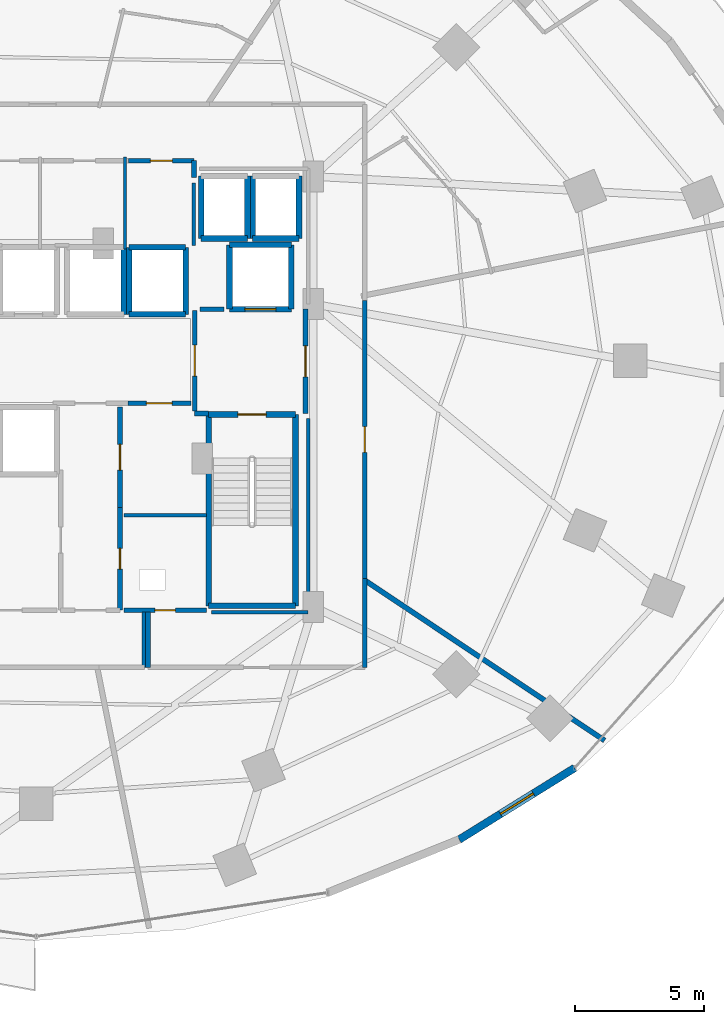
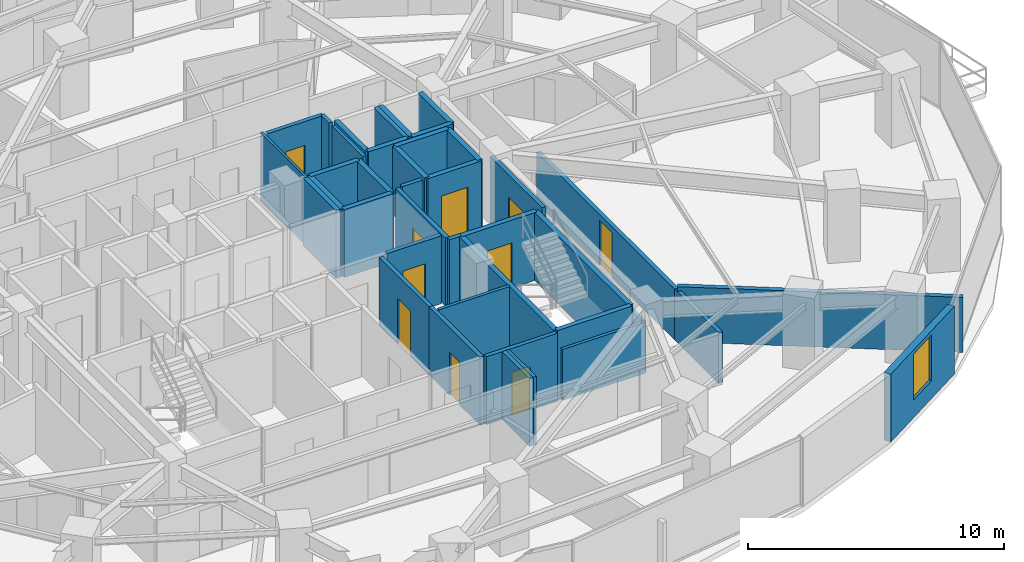
# One storey, part 25 of 30: 40 walls, 10 doors, 1 window, 11 openings.
"""IFC4 building model written with IfcOpenShell, lengths in metres."""

from ifc_helpers import new_model, si_unit, direction, frame, frame_2d, origin, place, context, subcontext, project, spatial, rectangle, extrude, material, layer, layer_set, type_object, element, fill, save


model = new_model("IFC4")

# Units and contexts
model_context = context("Model", 3, precision=1e-05, world=origin(), true_north=direction((0.0, 1.0)))
body_context = subcontext(model_context, "Body", "Model", "MODEL_VIEW")
ifc_project = project(units=[si_unit("LENGTHUNIT", "METRE"), si_unit("AREAUNIT", "SQUARE_METRE"), si_unit("VOLUMEUNIT", "CUBIC_METRE"), si_unit("PLANEANGLEUNIT", "RADIAN"), si_unit("MASSUNIT", "GRAM", prefix="KILO")], contexts=[model_context])

# Site, building, storey
site_placement = place(None, origin())
site = spatial("IfcSite", under=ifc_project, at=site_placement, CompositionType="ELEMENT")
building_placement = place(site_placement, origin())
building = spatial("IfcBuilding", under=site, at=building_placement, Name="Vorneva Point Tower", CompositionType="ELEMENT")
storey_placement = place(building_placement, frame((0.0, 0.0, 41.5)))
storey = spatial("IfcBuildingStorey", under=building, at=storey_placement, Name="L10", CompositionType="ELEMENT", Elevation=41.5)

# Wall, opening, door
ifc_material_1 = material(Name="Concrete B60 (C50/60)", Category="concrete")
ifc_layer_1 = layer(ifc_material_1, 0.5)
ifc_layer_set_1 = layer_set([ifc_layer_1], Name="Concrete B60 (C50/60)")
wall_type_1 = type_object("IfcWallType", Name="WL-CORE-500", PredefinedType="SHEAR", material=ifc_layer_set_1)
wall_1_placement = place(storey_placement, frame((45.5, 28.0, 0.0), z_axis=(0.0, 0.0, 1.0), x_axis=(1.0, 0.0, 0.0)))
wall_1 = element("IfcWall", 1, at=wall_1_placement, inside=storey, type_object=wall_type_1, Name="L10 Lift FFL2 Shaft Wall -Y", PredefinedType="SHEAR", context=body_context, shape_type="SweptSolid", body=[
    extrude(rectangle(XDim=2.39990234375, YDim=0.219970703125, at=frame_2d((1.199951171875, 0.0))), origin(), (0.0, 0.0, 1.0), 3.239990234375),
])
opening_1_placement = place(wall_1_placement, frame((0.60009765625, 0.0, 0.0)))
opening_1 = element("IfcOpeningElement", 2, at=opening_1_placement, cuts=wall_1, Name="Opening LD-02", PredefinedType="OPENING", context=body_context, shape_type="SweptSolid", body=[
    extrude(rectangle(XDim=1.199951171875, YDim=2.199951171875, at=frame_2d((0.60009765625, 1.10009765625))), frame((0.0, 0.125, 0.0), z_axis=(0.0, -1.0, 0.0), x_axis=(1.0, 0.0, 0.0)), (0.0, 0.0, 1.0), 0.249755859375),
])
ifc_material_2 = material(Name="Brushed stainless steel S304", Category="steel")
door_type_1 = type_object("IfcDoorType", Name="LD-FIRE-1200", OperationType="SLIDING_TO_LEFT", PredefinedType="DOOR", material=ifc_material_2)
door_1_placement = place(opening_1_placement, origin())
door_1 = element("IfcDoor", 3, at=door_1_placement, inside=storey, type_object=door_type_1, Name="L10 Lift FFL2 Sliding Landing Door", OperationType="SLIDING_TO_LEFT", OverallHeight=2.199951171875, OverallWidth=1.199951171875, PredefinedType="DOOR", context=body_context, shape_type="SweptSolid", body=[
    extrude(rectangle(XDim=1.199951171875, YDim=2.199951171875, at=frame_2d((0.60009765625, 1.10009765625))), frame((0.0, 0.02490234375, 0.0), z_axis=(0.0, -1.0, 0.0), x_axis=(1.0, 0.0, 0.0)), (0.0, 0.0, 1.0), 0.050048828125),
])
fill(opening_1, door_1)

# Walls
wall_2_placement = place(storey_placement, frame((47.89990234375, 28.0, 0.0), z_axis=(0.0, 0.0, 1.0), x_axis=(0.0, 1.0, 0.0)))
element("IfcWall", 4, at=wall_2_placement, inside=storey, type_object=wall_type_1, Name="L10 Lift FFL2 Shaft Wall +X", PredefinedType="SHEAR", context=body_context, shape_type="SweptSolid", body=[
    extrude(rectangle(XDim=2.5, YDim=0.219970703125, at=frame_2d((1.25, 0.0))), origin(), (0.0, 0.0, 1.0), 3.239990234375),
])
wall_3_placement = place(storey_placement, frame((47.89990234375, 30.5, 0.0), z_axis=(0.0, 0.0, 1.0), x_axis=(-1.0, 0.0, 0.0)))
element("IfcWall", 5, at=wall_3_placement, inside=storey, type_object=wall_type_1, Name="L10 Lift FFL2 Shaft Wall +Y", PredefinedType="SHEAR", context=body_context, shape_type="SweptSolid", body=[
    extrude(rectangle(XDim=2.39990234375, YDim=0.219970703125, at=frame_2d((1.199951171875, 0.0))), origin(), (0.0, 0.0, 1.0), 3.239990234375),
])
wall_4_placement = place(storey_placement, frame((45.5, 30.5, 0.0), z_axis=(0.0, 0.0, 1.0), x_axis=(0.0, -1.0, 0.0)))
element("IfcWall", 6, at=wall_4_placement, inside=storey, type_object=wall_type_1, Name="L10 Lift FFL2 Shaft Wall -X", PredefinedType="SHEAR", context=body_context, shape_type="SweptSolid", body=[
    extrude(rectangle(XDim=2.5, YDim=0.219970703125, at=frame_2d((1.25, 0.0))), origin(), (0.0, 0.0, 1.0), 3.239990234375),
])

# Wall, opening, window
ifc_material_3 = material(Name="Precast concrete B50 (C40/50)", Category="concrete")
ifc_layer_2 = layer(ifc_material_3, 0.300048828125)
ifc_layer_set_2 = layer_set([ifc_layer_2], Name="Precast concrete B50 (C40/50)")
wall_type_2 = type_object("IfcWallType", Name="WL-EXT-300", PredefinedType="STANDARD", material=ifc_layer_set_2)
wall_5_placement = place(storey_placement, frame((54.4169921875, 7.416748046875, 0.0), z_axis=(0.0, 0.0, 1.0), x_axis=(0.849633724826, 0.527373239404, 0.0)))
wall_5 = element("IfcWall", 7, at=wall_5_placement, inside=storey, type_object=wall_type_2, Name="L10 Pale-Metal Facade Spandrel Wall 14.2", PredefinedType="STANDARD", context=body_context, shape_type="SweptSolid", body=[
    extrude(rectangle(XDim=5.2705078125, YDim=0.300048828125, at=frame_2d((2.63525390625, 0.0))), origin(), (0.0, 0.0, 1.0), 3.239990234375),
])
opening_2_placement = place(wall_5_placement, frame((1.88525390625, 0.0, 0.85009765625)))
opening_2 = element("IfcOpeningElement", 8, at=opening_2_placement, cuts=wall_5, Name="Opening W-02", PredefinedType="OPENING", context=body_context, shape_type="SweptSolid", body=[
    extrude(rectangle(XDim=1.5, YDim=2.18994140625, at=frame_2d((0.75, 1.094970703125))), frame((0.0, 0.1650390625, 0.0), z_axis=(0.0, -1.0, 0.0), x_axis=(1.0, 0.0, 0.0)), (0.0, 0.0, 1.0), 0.329833984375),
])
ifc_material_4 = material(Name="Double low-e laminated glass IGU", Category="glass")
window_type = type_object("IfcWindowType", Name="WN-HTL-1500", PartitioningType="SINGLE_PANEL", PredefinedType="WINDOW", material=ifc_material_4)
window_placement = place(opening_2_placement, origin())
window = element("IfcWindow", 9, at=window_placement, inside=storey, type_object=window_type, Name="L10 Facade Window 14", OverallHeight=2.18994140625, OverallWidth=1.5, PartitioningType="SINGLE_PANEL", PredefinedType="WINDOW", context=body_context, shape_type="SweptSolid", body=[
    extrude(rectangle(XDim=1.5, YDim=2.18994140625, at=frame_2d((0.75, 1.094970703125))), frame((0.0, 0.030029296875, 0.0), z_axis=(0.0, -1.0, 0.0), x_axis=(1.0, 0.0, 0.0)), (0.0, 0.0, 1.0), 0.06005859375),
])
fill(opening_2, window)

# Walls
ifc_material_5 = material(Name="Fire-rated acoustic gypsum stud partition", Category="gypsum")
ifc_layer_3 = layer(ifc_material_5, 0.110107421875)
ifc_layer_set_3 = layer_set([ifc_layer_3], Name="Fire-rated acoustic gypsum stud partition")
wall_type_3 = type_object("IfcWallType", Name="WL-PART-110", PredefinedType="PARTITIONING", material=ifc_layer_set_3)
wall_6_placement = place(storey_placement, frame((41.449951171875, 30.340087890625, 0.0), z_axis=(0.0, 0.0, 1.0), x_axis=(0.0, 1.0, 0.0)))
element("IfcWall", 10, at=wall_6_placement, inside=storey, type_object=wall_type_3, Name="L10 Interior Partition 021", PredefinedType="PARTITIONING", context=body_context, shape_type="SweptSolid", body=[
    extrude(rectangle(XDim=3.559814453125, YDim=0.110107421875, at=frame_2d((1.77978515625, 0.0))), origin(), (0.0, 0.0, 1.0), 3.239990234375),
])
ifc_layer_4 = layer(ifc_material_5, 0.139892578125)
ifc_layer_set_4 = layer_set([ifc_layer_4], Name="Fire-rated acoustic gypsum stud partition")
wall_type_4 = type_object("IfcWallType", Name="WL-PART-140", PredefinedType="PARTITIONING", material=ifc_layer_set_4)
wall_7_placement = place(storey_placement, frame((44.60009765625, 20.0, 0.0), z_axis=(0.0, 0.0, 1.0), x_axis=(-1.0, 0.0, 0.0)))
element("IfcWall", 11, at=wall_7_placement, inside=storey, type_object=wall_type_4, Name="L10 Interior Partition 015", PredefinedType="PARTITIONING", context=body_context, shape_type="SweptSolid", body=[
    extrude(rectangle(XDim=3.2001953125, YDim=0.139892578125, at=frame_2d((1.60009765625, 0.0))), origin(), (0.0, 0.0, 1.0), 3.239990234375),
])
wall_8_placement = place(storey_placement, frame((44.1201171875, 30.47998046875, 0.0), z_axis=(0.0, 0.0, 1.0), x_axis=(0.0, 1.0, 0.0)))
element("IfcWall", 12, at=wall_8_placement, inside=storey, type_object=wall_type_4, Name="L10 Interior Closure Partition 098", PredefinedType="PARTITIONING", context=body_context, shape_type="SweptSolid", body=[
    extrude(rectangle(XDim=2.409912109375, YDim=0.139892578125, at=frame_2d((1.205078125, 0.0))), origin(), (0.0, 0.0, 1.0), 3.239990234375),
])
wall_9_placement = place(storey_placement, frame((48.550048828125, 23.75390625, 0.0), z_axis=(0.0, 0.0, 1.0), x_axis=(0.0, -1.0, 0.0)))
element("IfcWall", 13, at=wall_9_placement, inside=storey, type_object=wall_type_4, Name="L10 Interior Closure Partition 103", PredefinedType="PARTITIONING", context=body_context, shape_type="SweptSolid", body=[
    extrude(rectangle(XDim=7.513916015625, YDim=0.139892578125, at=frame_2d((3.7568359375, 0.0))), origin(), (0.0, 0.0, 1.0), 2.431884765625),
])
wall_10_placement = place(storey_placement, frame((48.550048828125, 16.239990234375, 0.0), z_axis=(0.0, 0.0, 1.0), x_axis=(-1.0, 0.0, 0.0)))
element("IfcWall", 14, at=wall_10_placement, inside=storey, type_object=wall_type_4, Name="L10 Interior Closure Partition 104", PredefinedType="PARTITIONING", context=body_context, shape_type="SweptSolid", body=[
    extrude(rectangle(XDim=3.7451171875, YDim=0.139892578125, at=frame_2d((1.87255859375, 0.0))), origin(), (0.0, 0.0, 1.0), 2.431884765625),
])

# Wall, opening, door
ifc_material_6 = material(Name="Autoclaved aerated concrete blockwork", Category="masonry")
ifc_layer_5 = layer(ifc_material_6, 0.179931640625)
ifc_layer_set_5 = layer_set([ifc_layer_5], Name="Autoclaved aerated concrete blockwork")
wall_type_5 = type_object("IfcWallType", Name="WL-PART-180", PredefinedType="PARTITIONING", material=ifc_layer_set_5)
wall_11_placement = place(storey_placement, frame((44.14990234375, 27.955078125, 0.0), z_axis=(0.0, 0.0, 1.0), x_axis=(0.0, -1.0, 0.0)))
wall_11 = element("IfcWall", 15, at=wall_11_placement, inside=storey, type_object=wall_type_5, Name="L10 Interior Partition 003", PredefinedType="PARTITIONING", context=body_context, shape_type="SweptSolid", body=[
    extrude(rectangle(XDim=3.91015625, YDim=0.179931640625, at=frame_2d((1.955078125, 0.0))), origin(), (0.0, 0.0, 1.0), 3.239990234375),
])
opening_3_placement = place(wall_11_placement, frame((1.35498046875, 0.0, 0.0)))
opening_3 = element("IfcOpeningElement", 16, at=opening_3_placement, cuts=wall_11, Name="Opening FD-02", PredefinedType="OPENING", context=body_context, shape_type="SweptSolid", body=[
    extrude(rectangle(XDim=1.199951171875, YDim=2.14990234375, at=frame_2d((0.60009765625, 1.074951171875))), frame((0.0, 0.10498046875, 0.0), z_axis=(0.0, -1.0, 0.0), x_axis=(1.0, 0.0, 0.0)), (0.0, 0.0, 1.0), 0.209716796875),
])
ifc_material_7 = material(Name="Fire-rated powder-coated steel", Category="steel")
door_type_2 = type_object("IfcDoorType", Name="DR-FFL-1200", OperationType="NOTDEFINED", PredefinedType="DOOR", material=ifc_material_7)
door_2_placement = place(opening_3_placement, origin())
door_2 = element("IfcDoor", 17, at=door_2_placement, inside=storey, type_object=door_type_2, Name="L10 Door East Firefighting Lobby / Central Lift Lobby", OperationType="SINGLE_SWING_RIGHT", OverallHeight=2.14990234375, OverallWidth=1.199951171875, PredefinedType="DOOR", context=body_context, shape_type="SweptSolid", body=[
    extrude(rectangle(XDim=1.199951171875, YDim=2.14990234375, at=frame_2d((0.60009765625, 1.074951171875))), frame((0.0, 0.02490234375, 0.0), z_axis=(0.0, -1.0, 0.0), x_axis=(1.0, 0.0, 0.0)), (0.0, 0.0, 1.0), 0.050048828125),
])
fill(opening_3, door_2)

# Wall
wall_12_placement = place(storey_placement, frame((44.14990234375, 23.949951171875, 0.0), z_axis=(0.0, 0.0, 1.0), x_axis=(1.0, 0.0, 0.0)))
element("IfcWall", 18, at=wall_12_placement, inside=storey, type_object=wall_type_5, Name="L10 Interior Partition 004", PredefinedType="PARTITIONING", context=body_context, shape_type="SweptSolid", body=[
    extrude(rectangle(XDim=0.5400390625, YDim=0.179931640625, at=frame_2d((0.27001953125, 0.0))), origin(), (0.0, 0.0, 1.0), 3.239990234375),
])

# Wall, opening, door
wall_13_placement = place(storey_placement, frame((48.449951171875, 23.949951171875, 0.0), z_axis=(0.0, 0.0, 1.0), x_axis=(0.0, 1.0, 0.0)))
wall_13 = element("IfcWall", 19, at=wall_13_placement, inside=storey, type_object=wall_type_5, Name="L10 Interior Partition 005", PredefinedType="PARTITIONING", context=body_context, shape_type="SweptSolid", body=[
    extrude(rectangle(XDim=4.050048828125, YDim=0.179931640625, at=frame_2d((2.02490234375, 0.0))), origin(), (0.0, 0.0, 1.0), 3.239990234375),
])
opening_4_placement = place(wall_13_placement, frame((1.425048828125, 0.0, 0.0)))
opening_4 = element("IfcOpeningElement", 20, at=opening_4_placement, cuts=wall_13, Name="Opening FD-02", PredefinedType="OPENING", context=body_context, shape_type="SweptSolid", body=[
    extrude(rectangle(XDim=1.199951171875, YDim=2.14990234375, at=frame_2d((0.60009765625, 1.074951171875))), frame((0.0, 0.10498046875, 0.0), z_axis=(0.0, -1.0, 0.0), x_axis=(1.0, 0.0, 0.0)), (0.0, 0.0, 1.0), 0.209716796875),
])
door_3_placement = place(opening_4_placement, origin())
door_3 = element("IfcDoor", 21, at=door_3_placement, inside=storey, type_object=door_type_2, Name="L10 Door East Firefighting Lobby / L10 Circulation Corridor", OperationType="SINGLE_SWING_LEFT", OverallHeight=2.14990234375, OverallWidth=1.199951171875, PredefinedType="DOOR", context=body_context, shape_type="SweptSolid", body=[
    extrude(rectangle(XDim=1.199951171875, YDim=2.14990234375, at=frame_2d((0.60009765625, 1.074951171875))), frame((0.0, 0.02490234375, 0.0), z_axis=(0.0, -1.0, 0.0), x_axis=(1.0, 0.0, 0.0)), (0.0, 0.0, 1.0), 0.050048828125),
])
fill(opening_4, door_3)

wall_14_placement = place(storey_placement, frame((41.554931640625, 24.35009765625, 0.0), z_axis=(0.0, 0.0, 1.0), x_axis=(1.0, 0.0, 0.0)))
wall_14 = element("IfcWall", 22, at=wall_14_placement, inside=storey, type_object=wall_type_5, Name="L10 Interior Partition 010", PredefinedType="PARTITIONING", context=body_context, shape_type="SweptSolid", body=[
    extrude(rectangle(XDim=2.445068359375, YDim=0.179931640625, at=frame_2d((1.22265625, 0.0))), origin(), (0.0, 0.0, 1.0), 3.239990234375),
])
opening_5_placement = place(wall_14_placement, frame((0.722412109375, 0.0, 0.0)))
opening_5 = element("IfcOpeningElement", 23, at=opening_5_placement, cuts=wall_14, Name="Opening UD-01", PredefinedType="OPENING", context=body_context, shape_type="SweptSolid", body=[
    extrude(rectangle(XDim=1.0, YDim=2.14990234375, at=frame_2d((0.5, 1.074951171875))), frame((0.0, 0.10498046875, 0.0), z_axis=(0.0, -1.0, 0.0), x_axis=(1.0, 0.0, 0.0)), (0.0, 0.0, 1.0), 0.209716796875),
])
ifc_material_8 = material(Name="Engineered oak fire-rated door leaf", Category="wood")
door_type_3 = type_object("IfcDoorType", Name="DR-UNIT-1000", OperationType="NOTDEFINED", PredefinedType="DOOR", material=ifc_material_8)
door_4_placement = place(opening_5_placement, origin())
door_4 = element("IfcDoor", 24, at=door_4_placement, inside=storey, type_object=door_type_3, Name="L10 Door Central Lift Lobby / Floor Management Office", OperationType="SINGLE_SWING_RIGHT", OverallHeight=2.14990234375, OverallWidth=1.0, PredefinedType="DOOR", context=body_context, shape_type="SweptSolid", body=[
    extrude(rectangle(XDim=1.0, YDim=2.14990234375, at=frame_2d((0.5, 1.074951171875))), frame((0.0, 0.02490234375, 0.0), z_axis=(0.0, -1.0, 0.0), x_axis=(1.0, 0.0, 0.0)), (0.0, 0.0, 1.0), 0.050048828125),
])
fill(opening_5, door_4)

wall_15_placement = place(storey_placement, frame((41.25, 16.320068359375, 0.0), z_axis=(0.0, 0.0, 1.0), x_axis=(0.0, 1.0, 0.0)))
wall_15 = element("IfcWall", 25, at=wall_15_placement, inside=storey, type_object=wall_type_5, Name="L10 Interior Partition 011", PredefinedType="PARTITIONING", context=body_context, shape_type="SweptSolid", body=[
    extrude(rectangle(XDim=3.98486328125, YDim=0.179931640625, at=frame_2d((1.992431640625, 0.0))), origin(), (0.0, 0.0, 1.0), 3.239990234375),
])
opening_6_placement = place(wall_15_placement, frame((1.592529296875, 0.0, 0.0)))
opening_6 = element("IfcOpeningElement", 26, at=opening_6_placement, cuts=wall_15, Name="Opening RD-01", PredefinedType="OPENING", context=body_context, shape_type="SweptSolid", body=[
    extrude(rectangle(XDim=0.800048828125, YDim=2.050048828125, at=frame_2d((0.39990234375, 1.02490234375))), frame((0.0, 0.10498046875, 0.0), z_axis=(0.0, -1.0, 0.0), x_axis=(1.0, 0.0, 0.0)), (0.0, 0.0, 1.0), 0.209716796875),
])
door_type_4 = type_object("IfcDoorType", Name="DR-RSR-800", OperationType="SINGLE_SWING_LEFT", PredefinedType="DOOR", material=ifc_material_7)
door_5_placement = place(opening_6_placement, origin())
door_5 = element("IfcDoor", 27, at=door_5_placement, inside=storey, type_object=door_type_4, Name="L10 Door Core Service Lobby / Electrical Riser", OperationType="SINGLE_SWING_LEFT", OverallHeight=2.050048828125, OverallWidth=0.800048828125, PredefinedType="DOOR", context=body_context, shape_type="SweptSolid", body=[
    extrude(rectangle(XDim=0.800048828125, YDim=2.050048828125, at=frame_2d((0.39990234375, 1.02490234375))), frame((0.0, 0.02490234375, 0.0), z_axis=(0.0, -1.0, 0.0), x_axis=(1.0, 0.0, 0.0)), (0.0, 0.0, 1.0), 0.050048828125),
])
fill(opening_6, door_5)

wall_16_placement = place(storey_placement, frame((41.25, 20.304931640625, 0.0), z_axis=(0.0, 0.0, 1.0), x_axis=(0.0, 1.0, 0.0)))
wall_16 = element("IfcWall", 28, at=wall_16_placement, inside=storey, type_object=wall_type_5, Name="L10 Interior Partition 012", PredefinedType="PARTITIONING", context=body_context, shape_type="SweptSolid", body=[
    extrude(rectangle(XDim=3.89501953125, YDim=0.179931640625, at=frame_2d((1.947509765625, 0.0))), origin(), (0.0, 0.0, 1.0), 3.239990234375),
])
opening_7_placement = place(wall_16_placement, frame((1.447509765625, 0.0, 0.0)))
opening_7 = element("IfcOpeningElement", 29, at=opening_7_placement, cuts=wall_16, Name="Opening UD-01", PredefinedType="OPENING", context=body_context, shape_type="SweptSolid", body=[
    extrude(rectangle(XDim=1.0, YDim=2.14990234375, at=frame_2d((0.5, 1.074951171875))), frame((0.0, 0.10498046875, 0.0), z_axis=(0.0, -1.0, 0.0), x_axis=(1.0, 0.0, 0.0)), (0.0, 0.0, 1.0), 0.209716796875),
])
door_6_placement = place(opening_7_placement, origin())
door_6 = element("IfcDoor", 30, at=door_6_placement, inside=storey, type_object=door_type_3, Name="L10 Door Core Service Lobby / Floor Management Office", OperationType="SINGLE_SWING_RIGHT", OverallHeight=2.14990234375, OverallWidth=1.0, PredefinedType="DOOR", context=body_context, shape_type="SweptSolid", body=[
    extrude(rectangle(XDim=1.0, YDim=2.14990234375, at=frame_2d((0.5, 1.074951171875))), frame((0.0, 0.02490234375, 0.0), z_axis=(0.0, -1.0, 0.0), x_axis=(1.0, 0.0, 0.0)), (0.0, 0.0, 1.0), 0.050048828125),
])
fill(opening_7, door_6)

wall_17_placement = place(storey_placement, frame((41.39990234375, 16.320068359375, 0.0), z_axis=(0.0, 0.0, 1.0), x_axis=(1.0, 0.0, 0.0)))
wall_17 = element("IfcWall", 31, at=wall_17_placement, inside=storey, type_object=wall_type_5, Name="L10 Interior Partition 016", PredefinedType="PARTITIONING", context=body_context, shape_type="SweptSolid", body=[
    extrude(rectangle(XDim=3.2001953125, YDim=0.179931640625, at=frame_2d((1.60009765625, 0.0))), origin(), (0.0, 0.0, 1.0), 3.239990234375),
])
opening_8_placement = place(wall_17_placement, frame((1.199951171875, 0.0, 0.0)))
opening_8 = element("IfcOpeningElement", 32, at=opening_8_placement, cuts=wall_17, Name="Opening RD-01", PredefinedType="OPENING", context=body_context, shape_type="SweptSolid", body=[
    extrude(rectangle(XDim=0.800048828125, YDim=2.050048828125, at=frame_2d((0.39990234375, 1.02490234375))), frame((0.0, 0.10498046875, 0.0), z_axis=(0.0, -1.0, 0.0), x_axis=(1.0, 0.0, 0.0)), (0.0, 0.0, 1.0), 0.209716796875),
])
door_7_placement = place(opening_8_placement, origin())
door_7 = element("IfcDoor", 33, at=door_7_placement, inside=storey, type_object=door_type_4, Name="L10 Door Electrical Riser / L10 Circulation Corridor", OperationType="SINGLE_SWING_LEFT", OverallHeight=2.050048828125, OverallWidth=0.800048828125, PredefinedType="DOOR", context=body_context, shape_type="SweptSolid", body=[
    extrude(rectangle(XDim=0.800048828125, YDim=2.050048828125, at=frame_2d((0.39990234375, 1.02490234375))), frame((0.0, 0.02490234375, 0.0), z_axis=(0.0, -1.0, 0.0), x_axis=(1.0, 0.0, 0.0)), (0.0, 0.0, 1.0), 0.050048828125),
])
fill(opening_8, door_7)

wall_18_placement = place(storey_placement, frame((44.1201171875, 33.760009765625, 0.0), z_axis=(0.0, 0.0, 1.0), x_axis=(-1.0, 0.0, 0.0)))
wall_18 = element("IfcWall", 34, at=wall_18_placement, inside=storey, type_object=wall_type_5, Name="L10 Interior Partition 023", PredefinedType="PARTITIONING", context=body_context, shape_type="SweptSolid", body=[
    extrude(rectangle(XDim=2.530029296875, YDim=0.179931640625, at=frame_2d((1.26513671875, 0.0))), origin(), (0.0, 0.0, 1.0), 3.239990234375),
])
opening_9_placement = place(wall_18_placement, frame((0.840087890625, 0.0, 0.0)))
opening_9 = element("IfcOpeningElement", 35, at=opening_9_placement, cuts=wall_18, Name="Opening ID-02", PredefinedType="OPENING", context=body_context, shape_type="SweptSolid", body=[
    extrude(rectangle(XDim=0.85009765625, YDim=2.10009765625, at=frame_2d((0.425048828125, 1.050048828125))), frame((0.0, 0.10498046875, 0.0), z_axis=(0.0, -1.0, 0.0), x_axis=(1.0, 0.0, 0.0)), (0.0, 0.0, 1.0), 0.209716796875),
])
door_type_5 = type_object("IfcDoorType", Name="DR-BATH-850", OperationType="NOTDEFINED", PredefinedType="DOOR", material=ifc_material_8)
door_8_placement = place(opening_9_placement, origin())
door_8 = element("IfcDoor", 36, at=door_8_placement, inside=storey, type_object=door_type_5, Name="L10 Door Cleaners Store / L10 Circulation Corridor", OperationType="SINGLE_SWING_LEFT", OverallHeight=2.10009765625, OverallWidth=0.85009765625, PredefinedType="DOOR", context=body_context, shape_type="SweptSolid", body=[
    extrude(rectangle(XDim=0.85009765625, YDim=2.10009765625, at=frame_2d((0.425048828125, 1.050048828125))), frame((0.0, 0.02490234375, 0.0), z_axis=(0.0, -1.0, 0.0), x_axis=(1.0, 0.0, 0.0)), (0.0, 0.0, 1.0), 0.050048828125),
])
fill(opening_9, door_8)

# Walls
wall_19_placement = place(storey_placement, frame((44.1201171875, 33.110107421875, 0.0), z_axis=(0.0, 0.0, 1.0), x_axis=(0.0, 1.0, 0.0)))
element("IfcWall", 37, at=wall_19_placement, inside=storey, type_object=wall_type_5, Name="L10 Interior Partition 024", PredefinedType="PARTITIONING", context=body_context, shape_type="SweptSolid", body=[
    extrude(rectangle(XDim=0.64990234375, YDim=0.179931640625, at=frame_2d((0.324951171875, 0.0))), origin(), (0.0, 0.0, 1.0), 3.239990234375),
])
wall_20_placement = place(storey_placement, frame((42.340087890625, 16.239990234375, 0.0), z_axis=(0.0, 0.0, 1.0), x_axis=(0.0, -1.0, 0.0)))
element("IfcWall", 38, at=wall_20_placement, inside=storey, type_object=wall_type_5, Name="L10 Interior Partition 043", PredefinedType="PARTITIONING", context=body_context, shape_type="SweptSolid", body=[
    extrude(rectangle(XDim=2.139892578125, YDim=0.179931640625, at=frame_2d((1.06982421875, 0.0))), origin(), (0.0, 0.0, 1.0), 3.239990234375),
])
wall_21_placement = place(storey_placement, frame((50.75, 14.10009765625, 0.0), z_axis=(0.0, 0.0, 1.0), x_axis=(0.0, 1.0, 0.0)))
element("IfcWall", 39, at=wall_21_placement, inside=storey, type_object=wall_type_5, Name="L10 Interior Partition 045", PredefinedType="PARTITIONING", context=body_context, shape_type="SweptSolid", body=[
    extrude(rectangle(XDim=3.44091796875, YDim=0.179931640625, at=frame_2d((1.720458984375, 0.0))), origin(), (0.0, 0.0, 1.0), 2.431884765625),
])
wall_22_placement = place(storey_placement, frame((42.199951171875, 14.10009765625, 0.0), z_axis=(0.0, 0.0, 1.0), x_axis=(0.0, 1.0, 0.0)))
element("IfcWall", 40, at=wall_22_placement, inside=storey, type_object=wall_type_5, Name="L10 Interior Partition 047", PredefinedType="PARTITIONING", context=body_context, shape_type="SweptSolid", body=[
    extrude(rectangle(XDim=2.139892578125, YDim=0.179931640625, at=frame_2d((1.06982421875, 0.0))), origin(), (0.0, 0.0, 1.0), 3.239990234375),
])

# Wall, opening, door
wall_23_placement = place(storey_placement, frame((50.75, 17.541015625, 0.0), z_axis=(0.0, 0.0, 1.0), x_axis=(0.0, 1.0, 0.0)))
wall_23 = element("IfcWall", 41, at=wall_23_placement, inside=storey, type_object=wall_type_5, Name="L10 Interior Partition 048", PredefinedType="PARTITIONING", context=body_context, shape_type="SweptSolid", body=[
    extrude(rectangle(XDim=10.794921875, YDim=0.179931640625, at=frame_2d((5.3974609375, 0.0))), origin(), (0.0, 0.0, 1.0), 2.431884765625),
])
opening_10_placement = place(wall_23_placement, frame((4.8974609375, 0.0, 0.0)))
opening_10 = element("IfcOpeningElement", 42, at=opening_10_placement, cuts=wall_23, Name="Opening UD-01", PredefinedType="OPENING", context=body_context, shape_type="SweptSolid", body=[
    extrude(rectangle(XDim=1.0, YDim=2.14990234375, at=frame_2d((0.5, 1.074951171875))), frame((0.0, 0.10498046875, 0.0), z_axis=(0.0, -1.0, 0.0), x_axis=(1.0, 0.0, 0.0)), (0.0, 0.0, 1.0), 0.209716796875),
])
door_9_placement = place(opening_10_placement, origin())
door_9 = element("IfcDoor", 43, at=door_9_placement, inside=storey, type_object=door_type_3, Name="L10 Door L10 Circulation Corridor / Executive Meeting Room L10-08", OperationType="SINGLE_SWING_RIGHT", OverallHeight=2.14990234375, OverallWidth=1.0, PredefinedType="DOOR", context=body_context, shape_type="SweptSolid", body=[
    extrude(rectangle(XDim=1.0, YDim=2.14990234375, at=frame_2d((0.5, 1.074951171875))), frame((0.0, 0.02490234375, 0.0), z_axis=(0.0, -1.0, 0.0), x_axis=(1.0, 0.0, 0.0)), (0.0, 0.0, 1.0), 0.050048828125),
])
fill(opening_10, door_9)

# Walls
wall_24_placement = place(storey_placement, frame((45.280029296875, 28.0, 0.0), z_axis=(0.0, 0.0, 1.0), x_axis=(-1.0, 0.0, 0.0)))
element("IfcWall", 44, at=wall_24_placement, inside=storey, type_object=wall_type_5, Name="L10 Interior Closure Partition 093", PredefinedType="PARTITIONING", context=body_context, shape_type="SweptSolid", body=[
    extrude(rectangle(XDim=0.9150390625, YDim=0.179931640625, at=frame_2d((0.45751953125, 0.0))), origin(), (0.0, 0.0, 1.0), 3.239990234375),
])
ifc_layer_6 = layer(ifc_material_6, 0.199951171875)
ifc_layer_set_6 = layer_set([ifc_layer_6], Name="Autoclaved aerated concrete blockwork")
wall_type_6 = type_object("IfcWallType", Name="WL-PART-200", PredefinedType="PARTITIONING", material=ifc_layer_set_6)
wall_25_placement = place(storey_placement, frame((60.052978515625, 11.264892578125, 0.0), z_axis=(0.0, 0.0, 1.0), x_axis=(-0.831469078055, 0.555571032577, 0.0)))
element("IfcWall", 45, at=wall_25_placement, inside=storey, type_object=wall_type_6, Name="L10 Interior Partition 091", PredefinedType="PARTITIONING", context=body_context, shape_type="SweptSolid", body=[
    extrude(rectangle(XDim=11.188720703125, YDim=0.199951171875, at=frame_2d((5.59423828125, 0.0))), origin(), (0.0, 0.0, 1.0), 2.6240234375),
])

# Wall, opening, door
ifc_material_9 = material(Name="Concrete B50 (C40/50)", Category="concrete")
ifc_layer_7 = layer(ifc_material_9, 0.219970703125)
ifc_layer_set_7 = layer_set([ifc_layer_7], Name="Concrete B50 (C40/50)")
wall_type_7 = type_object("IfcWallType", Name="WL-SHFT-220", PredefinedType="SOLIDWALL", material=ifc_layer_set_7)
wall_26_placement = place(storey_placement, frame((44.68994140625, 23.909912109375, 0.0), z_axis=(0.0, 0.0, 1.0), x_axis=(1.0, 0.0, 0.0)))
wall_26 = element("IfcWall", 46, at=wall_26_placement, inside=storey, type_object=wall_type_7, Name="L10 Exit Stair ST2 Shaft Wall near", PredefinedType="SOLIDWALL", context=body_context, shape_type="SweptSolid", body=[
    extrude(rectangle(XDim=3.3701171875, YDim=0.219970703125, at=frame_2d((1.68505859375, 0.0))), origin(), (0.0, 0.0, 1.0), 3.239990234375),
])
opening_11_placement = place(wall_26_placement, frame((1.135009765625, 0.0, 0.0)))
opening_11 = element("IfcOpeningElement", 47, at=opening_11_placement, cuts=wall_26, Name="Opening FD-01", PredefinedType="OPENING", context=body_context, shape_type="SweptSolid", body=[
    extrude(rectangle(XDim=1.10009765625, YDim=2.14990234375, at=frame_2d((0.550048828125, 1.074951171875))), frame((0.0, 0.125, 0.0), z_axis=(0.0, -1.0, 0.0), x_axis=(1.0, 0.0, 0.0)), (0.0, 0.0, 1.0), 0.249755859375),
])
door_type_6 = type_object("IfcDoorType", Name="DR-STAIR-1100", OperationType="NOTDEFINED", PredefinedType="DOOR", material=ifc_material_7)
door_10_placement = place(opening_11_placement, origin())
door_10 = element("IfcDoor", 48, at=door_10_placement, inside=storey, type_object=door_type_6, Name="L10 Exit Stair ST2 Fire Door", OperationType="SINGLE_SWING_LEFT", OverallHeight=2.14990234375, OverallWidth=1.10009765625, PredefinedType="DOOR", context=body_context, shape_type="SweptSolid", body=[
    extrude(rectangle(XDim=1.10009765625, YDim=2.14990234375, at=frame_2d((0.550048828125, 1.074951171875))), frame((0.0, 0.02490234375, 0.0), z_axis=(0.0, -1.0, 0.0), x_axis=(1.0, 0.0, 0.0)), (0.0, 0.0, 1.0), 0.050048828125),
])
fill(opening_11, door_10)

# Walls
wall_27_placement = place(storey_placement, frame((48.06005859375, 23.909912109375, 0.0), z_axis=(0.0, 0.0, 1.0), x_axis=(0.0, -1.0, 0.0)))
element("IfcWall", 49, at=wall_27_placement, inside=storey, type_object=wall_type_7, Name="L10 Exit Stair ST2 Shaft Wall right", PredefinedType="SOLIDWALL", context=body_context, shape_type="SweptSolid", body=[
    extrude(rectangle(XDim=7.419921875, YDim=0.219970703125, at=frame_2d((3.7099609375, 0.0))), origin(), (0.0, 0.0, 1.0), 3.239990234375),
])
wall_28_placement = place(storey_placement, frame((48.06005859375, 16.489990234375, 0.0), z_axis=(0.0, 0.0, 1.0), x_axis=(-1.0, 0.0, 0.0)))
element("IfcWall", 50, at=wall_28_placement, inside=storey, type_object=wall_type_7, Name="L10 Exit Stair ST2 Shaft Wall far", PredefinedType="SOLIDWALL", context=body_context, shape_type="SweptSolid", body=[
    extrude(rectangle(XDim=3.3701171875, YDim=0.219970703125, at=frame_2d((1.68505859375, 0.0))), origin(), (0.0, 0.0, 1.0), 3.239990234375),
])
wall_29_placement = place(storey_placement, frame((44.68994140625, 16.489990234375, 0.0), z_axis=(0.0, 0.0, 1.0), x_axis=(0.0, 1.0, 0.0)))
element("IfcWall", 51, at=wall_29_placement, inside=storey, type_object=wall_type_7, Name="L10 Exit Stair ST2 Shaft Wall left", PredefinedType="SOLIDWALL", context=body_context, shape_type="SweptSolid", body=[
    extrude(rectangle(XDim=7.419921875, YDim=0.219970703125, at=frame_2d((3.7099609375, 0.0))), origin(), (0.0, 0.0, 1.0), 3.239990234375),
])
wall_30_placement = place(storey_placement, frame((41.39990234375, 27.800048828125, 0.0), z_axis=(0.0, 0.0, 1.0), x_axis=(0.0, 1.0, 0.0)))
element("IfcWall", 52, at=wall_30_placement, inside=storey, type_object=wall_type_7, Name="L10 Lift PL7 Shaft Wall +X", PredefinedType="SOLIDWALL", context=body_context, shape_type="SweptSolid", body=[
    extrude(rectangle(XDim=2.599853515625, YDim=0.219970703125, at=frame_2d((1.2998046875, 0.0))), origin(), (0.0, 0.0, 1.0), 3.239990234375),
])
wall_31_placement = place(storey_placement, frame((41.60009765625, 27.800048828125, 0.0), z_axis=(0.0, 0.0, 1.0), x_axis=(1.0, 0.0, 0.0)))
element("IfcWall", 53, at=wall_31_placement, inside=storey, type_object=wall_type_7, Name="L10 Lift PL8 Shaft Wall -Y", PredefinedType="SOLIDWALL", context=body_context, shape_type="SweptSolid", body=[
    extrude(rectangle(XDim=2.199951171875, YDim=0.219970703125, at=frame_2d((1.10009765625, 0.0))), origin(), (0.0, 0.0, 1.0), 3.239990234375),
])
wall_32_placement = place(storey_placement, frame((43.800048828125, 27.800048828125, 0.0), z_axis=(0.0, 0.0, 1.0), x_axis=(0.0, 1.0, 0.0)))
element("IfcWall", 54, at=wall_32_placement, inside=storey, type_object=wall_type_7, Name="L10 Lift PL8 Shaft Wall +X", PredefinedType="SOLIDWALL", context=body_context, shape_type="SweptSolid", body=[
    extrude(rectangle(XDim=2.599853515625, YDim=0.219970703125, at=frame_2d((1.2998046875, 0.0))), origin(), (0.0, 0.0, 1.0), 3.239990234375),
])
wall_33_placement = place(storey_placement, frame((43.800048828125, 30.39990234375, 0.0), z_axis=(0.0, 0.0, 1.0), x_axis=(-1.0, 0.0, 0.0)))
element("IfcWall", 55, at=wall_33_placement, inside=storey, type_object=wall_type_7, Name="L10 Lift PL8 Shaft Wall +Y", PredefinedType="SOLIDWALL", context=body_context, shape_type="SweptSolid", body=[
    extrude(rectangle(XDim=2.199951171875, YDim=0.219970703125, at=frame_2d((1.10009765625, 0.0))), origin(), (0.0, 0.0, 1.0), 3.239990234375),
])
wall_34_placement = place(storey_placement, frame((41.60009765625, 30.39990234375, 0.0), z_axis=(0.0, 0.0, 1.0), x_axis=(0.0, -1.0, 0.0)))
element("IfcWall", 56, at=wall_34_placement, inside=storey, type_object=wall_type_7, Name="L10 Lift PL8 Shaft Wall -X", PredefinedType="SOLIDWALL", context=body_context, shape_type="SweptSolid", body=[
    extrude(rectangle(XDim=2.599853515625, YDim=0.219970703125, at=frame_2d((1.2998046875, 0.0))), origin(), (0.0, 0.0, 1.0), 3.239990234375),
])
wall_35_placement = place(storey_placement, frame((44.39990234375, 30.739990234375, 0.0), z_axis=(0.0, 0.0, 1.0), x_axis=(1.0, 0.0, 0.0)))
element("IfcWall", 57, at=wall_35_placement, inside=storey, type_object=wall_type_7, Name="L10 Lift EX1 Shaft Wall -Y", PredefinedType="SOLIDWALL", context=body_context, shape_type="SweptSolid", body=[
    extrude(rectangle(XDim=1.800048828125, YDim=0.219970703125, at=frame_2d((0.89990234375, 0.0))), origin(), (0.0, 0.0, 1.0), 3.239990234375),
])
for number, where, z_axis, x_axis, name in (
    (58, (46.199951171875, 30.739990234375, 0.0), (0.0, 0.0, 1.0), (0.0, 1.0, 0.0), "L10 Lift EX1 Shaft Wall +X"),
    (59, (44.39990234375, 33.159912109375, 0.0), (0.0, 0.0, 1.0), (0.0, -1.0, 0.0), "L10 Lift EX1 Shaft Wall -X"),
):
    element("IfcWall", number, at=place(storey_placement, frame(where, z_axis=z_axis, x_axis=x_axis)), inside=storey, type_object=wall_type_7, Name=name, PredefinedType="SOLIDWALL", context=body_context, shape_type="SweptSolid", body=[
        extrude(rectangle(XDim=2.419921875, YDim=0.219970703125, at=frame_2d((1.2099609375, 0.0))), origin(), (0.0, 0.0, 1.0), 3.239990234375),
    ])
wall_36_placement = place(storey_placement, frame((46.39990234375, 30.739990234375, 0.0), z_axis=(0.0, 0.0, 1.0), x_axis=(1.0, 0.0, 0.0)))
element("IfcWall", 60, at=wall_36_placement, inside=storey, type_object=wall_type_7, Name="L10 Lift EX2 Shaft Wall -Y", PredefinedType="SOLIDWALL", context=body_context, shape_type="SweptSolid", body=[
    extrude(rectangle(XDim=1.800048828125, YDim=0.219970703125, at=frame_2d((0.89990234375, 0.0))), origin(), (0.0, 0.0, 1.0), 3.239990234375),
])
for number, where, z_axis, x_axis, name in (
    (61, (48.199951171875, 30.739990234375, 0.0), (0.0, 0.0, 1.0), (0.0, 1.0, 0.0), "L10 Lift EX2 Shaft Wall +X"),
    (62, (46.39990234375, 33.159912109375, 0.0), (0.0, 0.0, 1.0), (0.0, -1.0, 0.0), "L10 Lift EX2 Shaft Wall -X"),
):
    element("IfcWall", number, at=place(storey_placement, frame(where, z_axis=z_axis, x_axis=x_axis)), inside=storey, type_object=wall_type_7, Name=name, PredefinedType="SOLIDWALL", context=body_context, shape_type="SweptSolid", body=[
        extrude(rectangle(XDim=2.419921875, YDim=0.219970703125, at=frame_2d((1.2099609375, 0.0))), origin(), (0.0, 0.0, 1.0), 3.239990234375),
    ])

save(model, "model.ifc")
